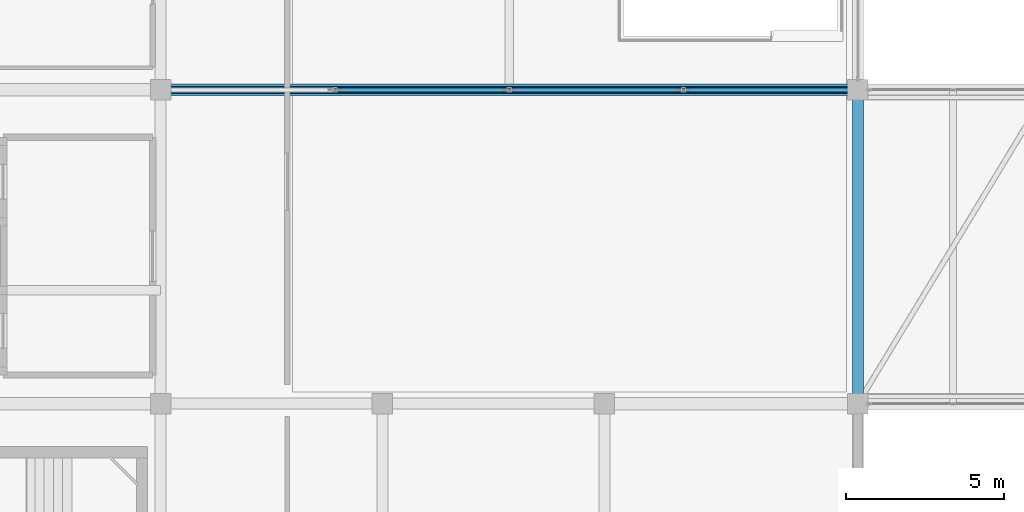
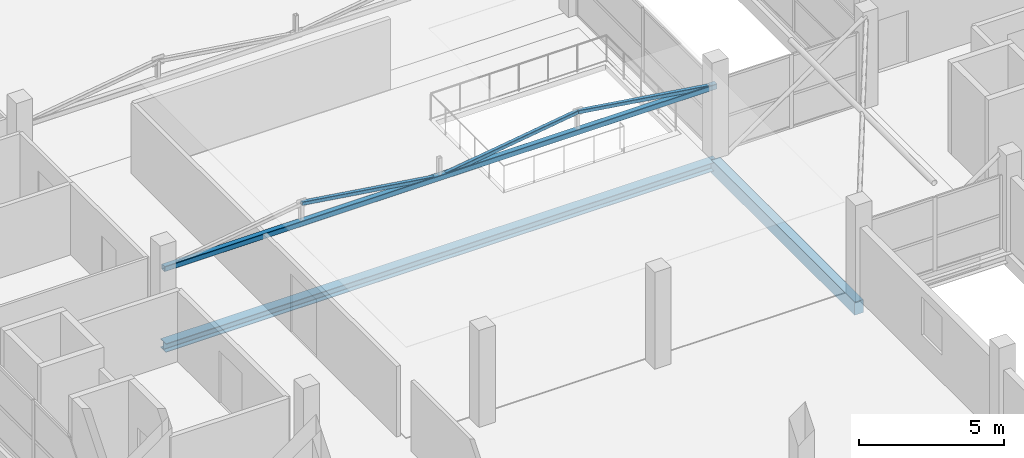
# One storey, part 10 of 66: 4 members, 2 beams.
"""IFC4 building model written with IfcOpenShell, lengths in metres."""

from ifc_helpers import new_model, si_unit, direction, frame, origin, origin_2d, place, context, subcontext, project, spatial, rectangle, hollow_rectangle, i_section, extrude, material, material_profile, profile_set, type_object, element, save


model = new_model("IFC4")

# Units and contexts
model_context = context("Model", 3, precision=1e-05, world=origin(), true_north=direction((0.0, 1.0)))
body_context = subcontext(model_context, "Body", "Model", "MODEL_VIEW")
ifc_project = project(units=[si_unit("LENGTHUNIT", "METRE"), si_unit("AREAUNIT", "SQUARE_METRE"), si_unit("VOLUMEUNIT", "CUBIC_METRE"), si_unit("PLANEANGLEUNIT", "RADIAN"), si_unit("MASSUNIT", "GRAM", prefix="KILO")], contexts=[model_context])

# Site, building, storey
site_placement = place(None, origin())
site = spatial("IfcSite", under=ifc_project, at=site_placement, CompositionType="ELEMENT")
building_placement = place(site_placement, origin())
building = spatial("IfcBuilding", under=site, at=building_placement, Name="Sillaruma Civic Art Gallery", CompositionType="ELEMENT")
storey_placement = place(building_placement, frame((0.0, 0.0, 62.219970703125)))
storey = spatial("IfcBuildingStorey", under=building, at=storey_placement, Name="L12", CompositionType="ELEMENT", Elevation=62.219970703125)

# Beams
ifc_material_1 = material(Name="Concrete H35 (35 MPa)", Category="concrete")
ifc_material_profile_1 = material_profile(ifc_material_1, rectangle(XDim=0.35009765625, YDim=0.550048828125, at=origin_2d()), Name="RCB350x550")
ifc_profile_set_1 = profile_set([ifc_material_profile_1], Name="Concrete H35 (35 MPa)")
beam_type_1 = type_object("IfcBeamType", Name="BM-SPANDREL-RCB350x550", PredefinedType="SPANDREL", material=ifc_profile_set_1)
beam_1_placement = place(storey_placement, frame((92.0, 39.60009765625, -0.5048828125), z_axis=(0.0, 1.0, 0.0), x_axis=(-1.0, 0.0, 0.0)))
element("IfcBeam", 1, at=beam_1_placement, inside=storey, type_object=beam_type_1, Name="Beam BS-04 (L11:K:5-6)", PredefinedType="SPANDREL", context=body_context, shape_type="SweptSolid", body=[
    extrude(rectangle(XDim=0.35009765625, YDim=0.550048828125, at=origin_2d()), origin(), (0.0, 0.0, 1.0), 9.89990234375),
])
ifc_material_2 = material(Name="Structural Steel ASTM A992 Gr.50", Category="steel")
ifc_material_profile_2 = material_profile(ifc_material_2, i_section(OverallWidth=0.37109375, OverallDepth=0.364013671875, WebThickness=0.01318359375, FlangeThickness=0.021728515625, FilletRadius=0.014892578125, at=origin_2d()), Name="W360x162")
ifc_profile_set_2 = profile_set([ifc_material_profile_2], Name="Structural Steel ASTM A992 Gr.50")
beam_type_2 = type_object("IfcBeamType", Name="BM-TRTOP-W360x162", PredefinedType="BEAM", material=ifc_profile_set_2)
beam_2_placement = place(storey_placement, frame((70.0, 49.5, -0.411865234375), z_axis=(1.0, 0.0, 0.0), x_axis=(0.0, 1.0, 0.0)))
element("IfcBeam", 2, at=beam_2_placement, inside=storey, type_object=beam_type_2, Name="Warren Truss Top Chord TR-L11-1", PredefinedType="BEAM", context=body_context, shape_type="SweptSolid", body=[
    extrude(i_section(OverallWidth=0.37109375, OverallDepth=0.364013671875, WebThickness=0.01318359375, FlangeThickness=0.021728515625, FilletRadius=0.014892578125, at=origin_2d()), origin(), (0.0, 0.0, 1.0), 22.0),
])

# Members
ifc_material_3 = material(Name="Structural Steel ASTM A500 Gr.C", Category="steel")
ifc_material_profile_3 = material_profile(ifc_material_3, hollow_rectangle(XDim=0.14990234375, YDim=0.14990234375, WallThickness=0.010009765625, InnerFilletRadius=0.010009765625, OuterFilletRadius=0.02001953125, at=origin_2d()), Name="HSS150x150x10")
ifc_profile_set_3 = profile_set([ifc_material_profile_3], Name="Structural Steel ASTM A500 Gr.C")
member_type_1 = type_object("IfcMemberType", Name="MEM-BRACE-HSS150x150x10", PredefinedType="BRACE", material=ifc_profile_set_3)
for number, where, z_axis, x_axis, name in (
    (3, (75.5, 49.5, 3.66796875), (0.989384036218, 0.0, -0.145324563914), (0.0, 1.0, 0.0), "Warren Truss Diagonal TR-L12-1-D2"),
    (4, (81.0, 49.5, 2.860107421875), (0.989384036218, 0.0, 0.145324563914), (0.0, 1.0, 0.0), "Warren Truss Diagonal TR-L12-1-D3"),
    (5, (86.5, 49.5, 3.66796875), (0.989384036218, 0.0, -0.145324563914), (0.0, 1.0, 0.0), "Warren Truss Diagonal TR-L12-1-D4"),
):
    element("IfcMember", number, at=place(storey_placement, frame(where, z_axis=z_axis, x_axis=x_axis)), inside=storey, type_object=member_type_1, Name=name, PredefinedType="BRACE", context=body_context, shape_type="SweptSolid", body=[
        extrude(hollow_rectangle(XDim=0.14990234375, YDim=0.14990234375, WallThickness=0.010009765625, InnerFilletRadius=0.010009765625, OuterFilletRadius=0.02001953125, at=origin_2d()), origin(), (0.0, 0.0, 1.0), 5.55908203125),
    ])
ifc_material_profile_4 = material_profile(ifc_material_3, hollow_rectangle(XDim=0.219970703125, YDim=0.219970703125, WallThickness=0.012451171875, InnerFilletRadius=0.012451171875, OuterFilletRadius=0.02490234375, at=origin_2d()), Name="HSS220x220x12.5")
ifc_profile_set_4 = profile_set([ifc_material_profile_4], Name="Structural Steel ASTM A500 Gr.C")
member_type_2 = type_object("IfcMemberType", Name="MEM-CHORD-HSS220x220x12.5", PredefinedType="CHORD", material=ifc_profile_set_4)
member_placement = place(storey_placement, frame((70.0, 49.5, 2.860107421875), z_axis=(1.0, 0.0, 0.0), x_axis=(0.0, 1.0, 0.0)))
element("IfcMember", 6, at=member_placement, inside=storey, type_object=member_type_2, Name="Warren Truss Bottom Chord TR-L12-1", PredefinedType="CHORD", context=body_context, shape_type="SweptSolid", body=[
    extrude(hollow_rectangle(XDim=0.219970703125, YDim=0.219970703125, WallThickness=0.012451171875, InnerFilletRadius=0.012451171875, OuterFilletRadius=0.02490234375, at=origin_2d()), origin(), (0.0, 0.0, 1.0), 22.0),
])

save(model, "model.ifc")
